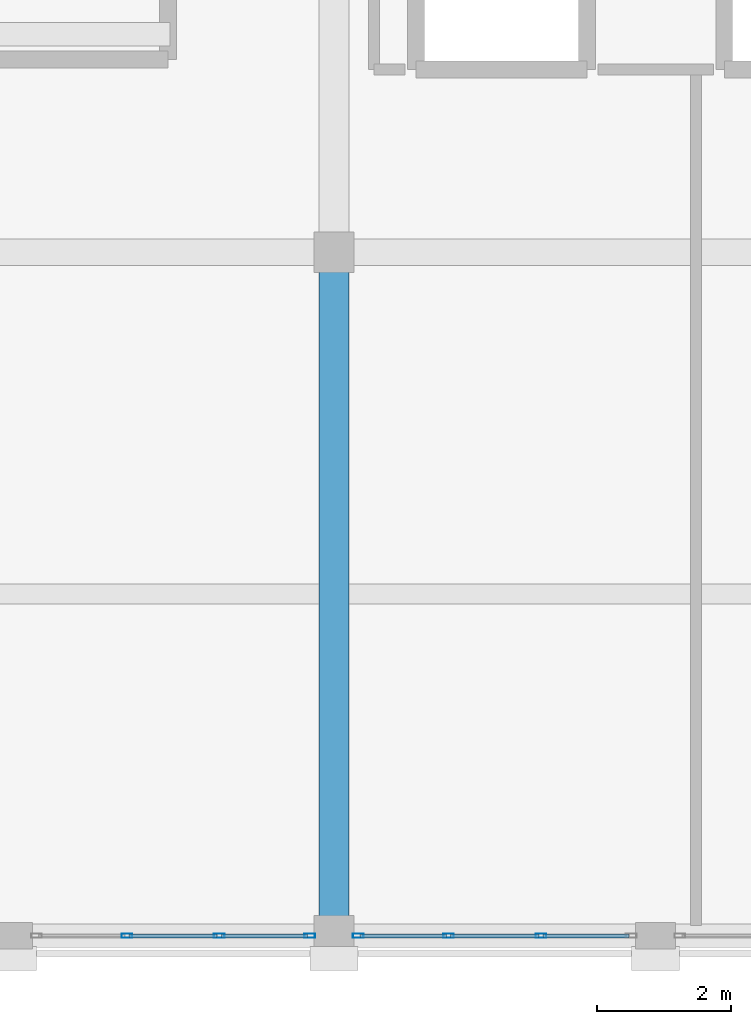
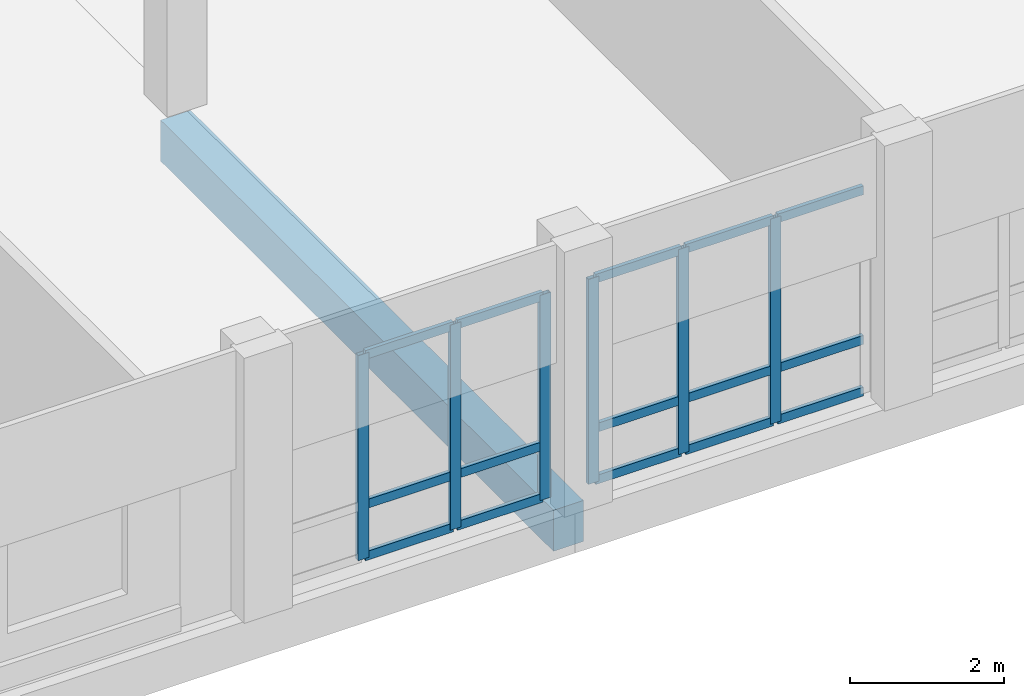
# One storey, part 11 of 93: 21 members, 1 beam, 2 elements without a shape of their own.
"""IFC4 building model written with IfcOpenShell, lengths in metres."""

from ifc_helpers import new_model, si_unit, direction, frame, origin, origin_2d, place, context, subcontext, project, spatial, rectangle, hollow_rectangle, extrude, material, material_profile, profile_set, type_object, element, aggregate, save


model = new_model("IFC4")

# Units and contexts
model_context = context("Model", 3, precision=1e-05, world=origin(), true_north=direction((0.0, 1.0)))
body_context = subcontext(model_context, "Body", "Model", "MODEL_VIEW")
ifc_project = project(units=[si_unit("LENGTHUNIT", "METRE"), si_unit("AREAUNIT", "SQUARE_METRE"), si_unit("VOLUMEUNIT", "CUBIC_METRE"), si_unit("PLANEANGLEUNIT", "RADIAN"), si_unit("MASSUNIT", "GRAM", prefix="KILO")], contexts=[model_context])

# Site, building, storey
site_placement = place(None, origin())
site = spatial("IfcSite", under=ifc_project, at=site_placement, CompositionType="ELEMENT")
building_placement = place(site_placement, origin())
building = spatial("IfcBuilding", under=site, at=building_placement, Name="Vondelvale Polytechnic", CompositionType="ELEMENT")
storey_placement = place(building_placement, frame((0.0, 0.0, 18.0)))
storey = spatial("IfcBuildingStorey", under=building, at=storey_placement, Name="L04", CompositionType="ELEMENT", Elevation=18.0)

# Beam
ifc_material_1 = material(Name="Concrete N40 (f'c = 40 MPa)", Category="concrete")
ifc_material_profile_1 = material_profile(ifc_material_1, rectangle(XDim=0.449951171875, YDim=0.64990234375, at=origin_2d()), Name="RC-BM-450x650")
ifc_profile_set_1 = profile_set([ifc_material_profile_1], Name="Concrete N40 (f'c = 40 MPa)")
beam_type = type_object("IfcBeamType", Name="BM-RC450x650", PredefinedType="BEAM", material=ifc_profile_set_1)
beam_placement = place(storey_placement, frame((19.199951171875, 0.0, -0.574951171875), z_axis=(0.0, 1.0, 0.0), x_axis=(-1.0, 0.0, 0.0)))
element("IfcBeam", 1, at=beam_placement, inside=storey, type_object=beam_type, Name="L04 B B-04", PredefinedType="BEAM", context=body_context, shape_type="SweptSolid", body=[
    extrude(rectangle(XDim=0.449951171875, YDim=0.64990234375, at=origin_2d()), origin(), (0.0, 0.0, 1.0), 10.199951171875),
])

# Curtain wall, members
ifc_material_2 = material(Name="Anodised extruded aluminium 6063-T6", Category="aluminium")
curtain_wall_type = type_object("IfcCurtainWallType", Name="CW-LIBRARY-BAY", PredefinedType="NOTDEFINED", material=ifc_material_2)
curtain_wall_1_placement = place(storey_placement, origin())
curtain_wall_1 = element("IfcCurtainWall", 2, at=curtain_wall_1_placement, inside=storey, type_object=curtain_wall_type, Name="L04 architectural curtain wall CW-02-031", PredefinedType="NOTDEFINED")
ifc_material_profile_2 = material_profile(ifc_material_2, hollow_rectangle(XDim=0.06494140625, YDim=0.159912109375, WallThickness=0.0048828125, at=origin_2d()), Name="CW-MUL-160x65")
ifc_profile_set_2 = profile_set([ifc_material_profile_2], Name="Anodised extruded aluminium 6063-T6")
member_type_1 = type_object("IfcMemberType", Name="CW-MUL-65x160", PredefinedType="MULLION", material=ifc_profile_set_2)
member_1_placement = place(storey_placement, frame((16.110107421875, 0.0, 0.0), z_axis=(0.0, 0.0, 1.0), x_axis=(0.0, 1.0, 0.0)))
member_1 = element("IfcMember", 3, at=member_1_placement, type_object=member_type_1, Name="CW-02-031 mullion 2", PredefinedType="MULLION", context=body_context, shape_type="SweptSolid", body=[
    extrude(hollow_rectangle(XDim=0.06494140625, YDim=0.159912109375, WallThickness=0.0048828125, at=origin_2d()), origin(), (0.0, 0.0, 1.0), 3.25),
])
member_2_placement = place(storey_placement, frame((17.489990234375, 0.0, 0.0), z_axis=(0.0, 0.0, 1.0), x_axis=(0.0, 1.0, 0.0)))
member_2 = element("IfcMember", 4, at=member_2_placement, type_object=member_type_1, Name="CW-02-031 mullion 3", PredefinedType="MULLION", context=body_context, shape_type="SweptSolid", body=[
    extrude(hollow_rectangle(XDim=0.06494140625, YDim=0.159912109375, WallThickness=0.0048828125, at=origin_2d()), origin(), (0.0, 0.0, 1.0), 3.25),
])
member_3_placement = place(storey_placement, frame((18.83740234375, 0.0, 0.0), z_axis=(0.0, 0.0, 1.0), x_axis=(0.0, 1.0, 0.0)))
member_3 = element("IfcMember", 5, at=member_3_placement, type_object=member_type_1, Name="CW-02-031 mullion 4", PredefinedType="MULLION", context=body_context, shape_type="SweptSolid", body=[
    extrude(hollow_rectangle(XDim=0.06494140625, YDim=0.159912109375, WallThickness=0.0048828125, at=origin_2d()), origin(), (0.0, 0.0, 1.0), 3.25),
])

curtain_wall_2_placement = place(storey_placement, origin())
curtain_wall_2 = element("IfcCurtainWall", 6, at=curtain_wall_2_placement, inside=storey, type_object=curtain_wall_type, Name="L04 architectural curtain wall CW-02-032", PredefinedType="NOTDEFINED")
member_4_placement = place(storey_placement, frame((19.5625, 0.0, 0.0), z_axis=(0.0, 0.0, 1.0), x_axis=(0.0, 1.0, 0.0)))
member_4 = element("IfcMember", 7, at=member_4_placement, type_object=member_type_1, Name="CW-02-032 mullion 1", PredefinedType="MULLION", context=body_context, shape_type="SweptSolid", body=[
    extrude(hollow_rectangle(XDim=0.06494140625, YDim=0.159912109375, WallThickness=0.0048828125, at=origin_2d()), origin(), (0.0, 0.0, 1.0), 3.25),
])
member_5_placement = place(storey_placement, frame((20.909912109375, 0.0, 0.0), z_axis=(0.0, 0.0, 1.0), x_axis=(0.0, 1.0, 0.0)))
member_5 = element("IfcMember", 8, at=member_5_placement, type_object=member_type_1, Name="CW-02-032 mullion 2", PredefinedType="MULLION", context=body_context, shape_type="SweptSolid", body=[
    extrude(hollow_rectangle(XDim=0.06494140625, YDim=0.159912109375, WallThickness=0.0048828125, at=origin_2d()), origin(), (0.0, 0.0, 1.0), 3.25),
])
member_6_placement = place(storey_placement, frame((22.2900390625, 0.0, 0.0), z_axis=(0.0, 0.0, 1.0), x_axis=(0.0, 1.0, 0.0)))
member_6 = element("IfcMember", 9, at=member_6_placement, type_object=member_type_1, Name="CW-02-032 mullion 3", PredefinedType="MULLION", context=body_context, shape_type="SweptSolid", body=[
    extrude(hollow_rectangle(XDim=0.06494140625, YDim=0.159912109375, WallThickness=0.0048828125, at=origin_2d()), origin(), (0.0, 0.0, 1.0), 3.25),
])

# Member
ifc_material_profile_3 = material_profile(ifc_material_2, hollow_rectangle(XDim=0.06005859375, YDim=0.139892578125, WallThickness=0.00341796875, at=origin_2d()), Name="CW-TRN-140x60")
ifc_profile_set_3 = profile_set([ifc_material_profile_3], Name="Anodised extruded aluminium 6063-T6")
member_type_2 = type_object("IfcMemberType", Name="CW-TRN-60x140", PredefinedType="USERDEFINED", material=ifc_profile_set_3)
member_7_placement = place(storey_placement, frame((16.142578125, 0.0, 0.030029296875), z_axis=(1.0, 0.0, 0.0), x_axis=(0.0, 1.0, 0.0)))
member_7 = element("IfcMember", 10, at=member_7_placement, type_object=member_type_2, Name="CW-02-031 transom 2.1", ObjectType="TRANSOM", PredefinedType="USERDEFINED", context=body_context, shape_type="SweptSolid", body=[
    extrude(hollow_rectangle(XDim=0.06005859375, YDim=0.139892578125, WallThickness=0.00341796875, at=origin_2d()), origin(), (0.0, 0.0, 1.0), 1.31494140625),
])

member_8_placement = place(storey_placement, frame((16.142578125, 0.0, 0.85009765625), z_axis=(1.0, 0.0, 0.0), x_axis=(0.0, 1.0, 0.0)))
member_8 = element("IfcMember", 11, at=member_8_placement, type_object=member_type_2, Name="CW-02-031 transom 2.2", ObjectType="TRANSOM", PredefinedType="USERDEFINED", context=body_context, shape_type="SweptSolid", body=[
    extrude(hollow_rectangle(XDim=0.06005859375, YDim=0.139892578125, WallThickness=0.00341796875, at=origin_2d()), origin(), (0.0, 0.0, 1.0), 1.31494140625),
])

member_9_placement = place(storey_placement, frame((16.142578125, 0.0, 3.219970703125), z_axis=(1.0, 0.0, 0.0), x_axis=(0.0, 1.0, 0.0)))
member_9 = element("IfcMember", 12, at=member_9_placement, type_object=member_type_2, Name="CW-02-031 transom 2.3", ObjectType="TRANSOM", PredefinedType="USERDEFINED", context=body_context, shape_type="SweptSolid", body=[
    extrude(hollow_rectangle(XDim=0.06005859375, YDim=0.139892578125, WallThickness=0.00341796875, at=origin_2d()), origin(), (0.0, 0.0, 1.0), 1.31494140625),
])

member_10_placement = place(storey_placement, frame((17.5224609375, 0.0, 0.030029296875), z_axis=(1.0, 0.0, 0.0), x_axis=(0.0, 1.0, 0.0)))
member_10 = element("IfcMember", 13, at=member_10_placement, type_object=member_type_2, Name="CW-02-031 transom 3.1", ObjectType="TRANSOM", PredefinedType="USERDEFINED", context=body_context, shape_type="SweptSolid", body=[
    extrude(hollow_rectangle(XDim=0.06005859375, YDim=0.139892578125, WallThickness=0.00341796875, at=origin_2d()), origin(), (0.0, 0.0, 1.0), 1.282470703125),
])

member_11_placement = place(storey_placement, frame((17.5224609375, 0.0, 0.85009765625), z_axis=(1.0, 0.0, 0.0), x_axis=(0.0, 1.0, 0.0)))
member_11 = element("IfcMember", 14, at=member_11_placement, type_object=member_type_2, Name="CW-02-031 transom 3.2", ObjectType="TRANSOM", PredefinedType="USERDEFINED", context=body_context, shape_type="SweptSolid", body=[
    extrude(hollow_rectangle(XDim=0.06005859375, YDim=0.139892578125, WallThickness=0.00341796875, at=origin_2d()), origin(), (0.0, 0.0, 1.0), 1.282470703125),
])

member_12_placement = place(storey_placement, frame((17.5224609375, 0.0, 3.219970703125), z_axis=(1.0, 0.0, 0.0), x_axis=(0.0, 1.0, 0.0)))
member_12 = element("IfcMember", 15, at=member_12_placement, type_object=member_type_2, Name="CW-02-031 transom 3.3", ObjectType="TRANSOM", PredefinedType="USERDEFINED", context=body_context, shape_type="SweptSolid", body=[
    extrude(hollow_rectangle(XDim=0.06005859375, YDim=0.139892578125, WallThickness=0.00341796875, at=origin_2d()), origin(), (0.0, 0.0, 1.0), 1.282470703125),
])

aggregate(curtain_wall_1, [member_1, member_2, member_3, member_7, member_8, member_9, member_10, member_11, member_12])

member_13_placement = place(storey_placement, frame((19.594970703125, 0.0, 0.030029296875), z_axis=(1.0, 0.0, 0.0), x_axis=(0.0, 1.0, 0.0)))
member_13 = element("IfcMember", 16, at=member_13_placement, type_object=member_type_2, Name="CW-02-032 transom 1.1", ObjectType="TRANSOM", PredefinedType="USERDEFINED", context=body_context, shape_type="SweptSolid", body=[
    extrude(hollow_rectangle(XDim=0.06005859375, YDim=0.139892578125, WallThickness=0.00341796875, at=origin_2d()), origin(), (0.0, 0.0, 1.0), 1.282470703125),
])

member_14_placement = place(storey_placement, frame((19.594970703125, 0.0, 0.85009765625), z_axis=(1.0, 0.0, 0.0), x_axis=(0.0, 1.0, 0.0)))
member_14 = element("IfcMember", 17, at=member_14_placement, type_object=member_type_2, Name="CW-02-032 transom 1.2", ObjectType="TRANSOM", PredefinedType="USERDEFINED", context=body_context, shape_type="SweptSolid", body=[
    extrude(hollow_rectangle(XDim=0.06005859375, YDim=0.139892578125, WallThickness=0.00341796875, at=origin_2d()), origin(), (0.0, 0.0, 1.0), 1.282470703125),
])

member_15_placement = place(storey_placement, frame((19.594970703125, 0.0, 3.219970703125), z_axis=(1.0, 0.0, 0.0), x_axis=(0.0, 1.0, 0.0)))
member_15 = element("IfcMember", 18, at=member_15_placement, type_object=member_type_2, Name="CW-02-032 transom 1.3", ObjectType="TRANSOM", PredefinedType="USERDEFINED", context=body_context, shape_type="SweptSolid", body=[
    extrude(hollow_rectangle(XDim=0.06005859375, YDim=0.139892578125, WallThickness=0.00341796875, at=origin_2d()), origin(), (0.0, 0.0, 1.0), 1.282470703125),
])

member_16_placement = place(storey_placement, frame((20.9423828125, 0.0, 0.030029296875), z_axis=(1.0, 0.0, 0.0), x_axis=(0.0, 1.0, 0.0)))
member_16 = element("IfcMember", 19, at=member_16_placement, type_object=member_type_2, Name="CW-02-032 transom 2.1", ObjectType="TRANSOM", PredefinedType="USERDEFINED", context=body_context, shape_type="SweptSolid", body=[
    extrude(hollow_rectangle(XDim=0.06005859375, YDim=0.139892578125, WallThickness=0.00341796875, at=origin_2d()), origin(), (0.0, 0.0, 1.0), 1.315185546875),
])

member_17_placement = place(storey_placement, frame((20.9423828125, 0.0, 0.85009765625), z_axis=(1.0, 0.0, 0.0), x_axis=(0.0, 1.0, 0.0)))
member_17 = element("IfcMember", 20, at=member_17_placement, type_object=member_type_2, Name="CW-02-032 transom 2.2", ObjectType="TRANSOM", PredefinedType="USERDEFINED", context=body_context, shape_type="SweptSolid", body=[
    extrude(hollow_rectangle(XDim=0.06005859375, YDim=0.139892578125, WallThickness=0.00341796875, at=origin_2d()), origin(), (0.0, 0.0, 1.0), 1.315185546875),
])

member_18_placement = place(storey_placement, frame((20.9423828125, 0.0, 3.219970703125), z_axis=(1.0, 0.0, 0.0), x_axis=(0.0, 1.0, 0.0)))
member_18 = element("IfcMember", 21, at=member_18_placement, type_object=member_type_2, Name="CW-02-032 transom 2.3", ObjectType="TRANSOM", PredefinedType="USERDEFINED", context=body_context, shape_type="SweptSolid", body=[
    extrude(hollow_rectangle(XDim=0.06005859375, YDim=0.139892578125, WallThickness=0.00341796875, at=origin_2d()), origin(), (0.0, 0.0, 1.0), 1.315185546875),
])

member_19_placement = place(storey_placement, frame((22.322509765625, 0.0, 0.030029296875), z_axis=(1.0, 0.0, 0.0), x_axis=(0.0, 1.0, 0.0)))
member_19 = element("IfcMember", 22, at=member_19_placement, type_object=member_type_2, Name="CW-02-032 transom 3.1", ObjectType="TRANSOM", PredefinedType="USERDEFINED", context=body_context, shape_type="SweptSolid", body=[
    extrude(hollow_rectangle(XDim=0.06005859375, YDim=0.139892578125, WallThickness=0.00341796875, at=origin_2d()), origin(), (0.0, 0.0, 1.0), 1.282470703125),
])

member_20_placement = place(storey_placement, frame((22.322509765625, 0.0, 0.85009765625), z_axis=(1.0, 0.0, 0.0), x_axis=(0.0, 1.0, 0.0)))
member_20 = element("IfcMember", 23, at=member_20_placement, type_object=member_type_2, Name="CW-02-032 transom 3.2", ObjectType="TRANSOM", PredefinedType="USERDEFINED", context=body_context, shape_type="SweptSolid", body=[
    extrude(hollow_rectangle(XDim=0.06005859375, YDim=0.139892578125, WallThickness=0.00341796875, at=origin_2d()), origin(), (0.0, 0.0, 1.0), 1.282470703125),
])

member_21_placement = place(storey_placement, frame((22.322509765625, 0.0, 3.219970703125), z_axis=(1.0, 0.0, 0.0), x_axis=(0.0, 1.0, 0.0)))
member_21 = element("IfcMember", 24, at=member_21_placement, type_object=member_type_2, Name="CW-02-032 transom 3.3", ObjectType="TRANSOM", PredefinedType="USERDEFINED", context=body_context, shape_type="SweptSolid", body=[
    extrude(hollow_rectangle(XDim=0.06005859375, YDim=0.139892578125, WallThickness=0.00341796875, at=origin_2d()), origin(), (0.0, 0.0, 1.0), 1.282470703125),
])

aggregate(curtain_wall_2, [member_4, member_5, member_6, member_13, member_14, member_15, member_16, member_17, member_18, member_19, member_20, member_21])

save(model, "model.ifc")
